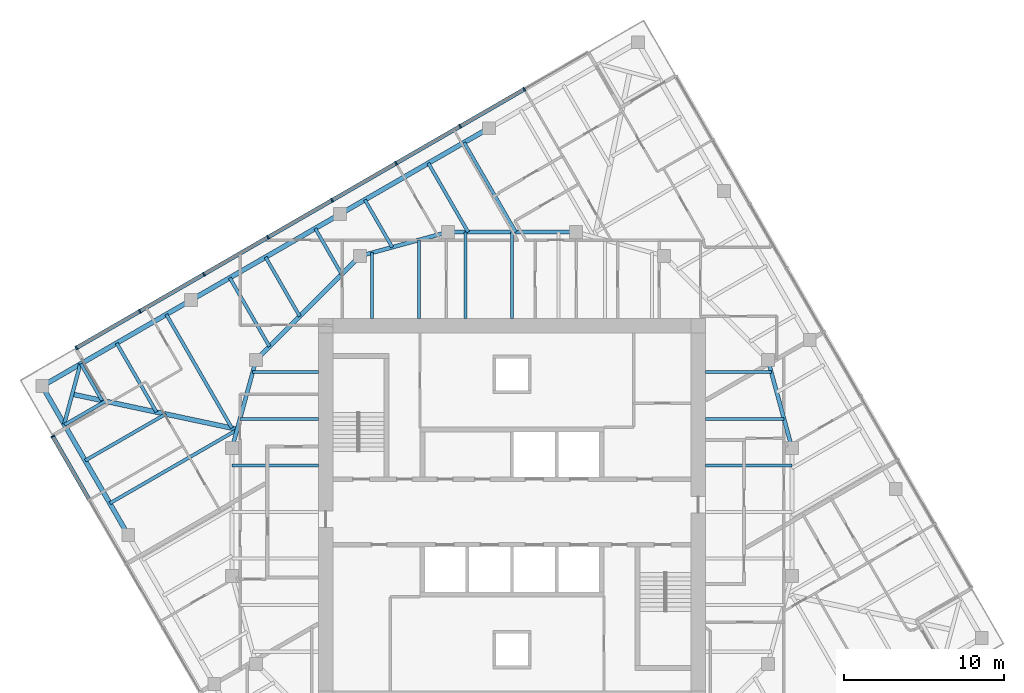
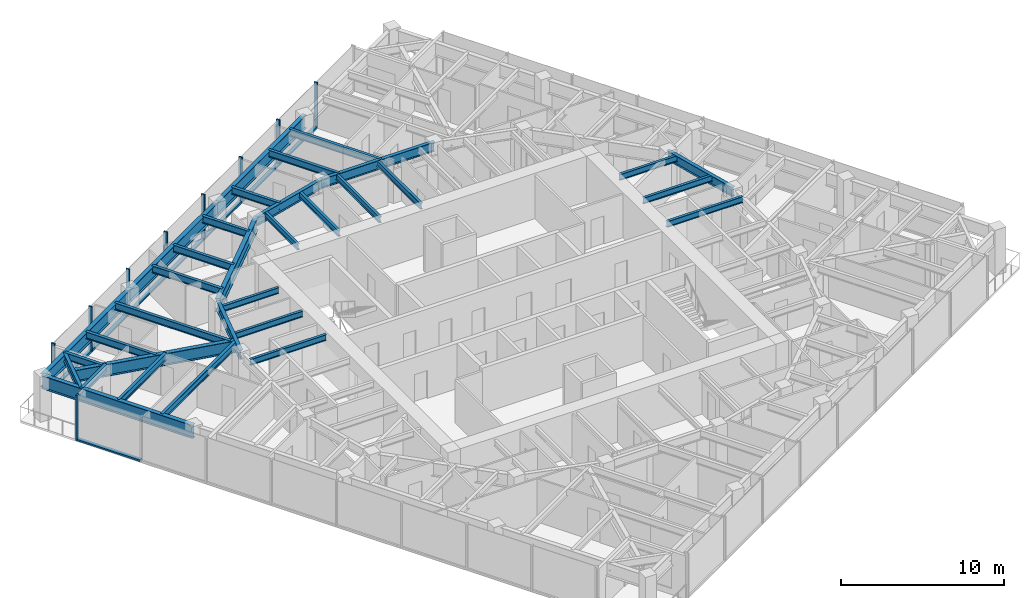
# One storey, part 4 of 13: 33 beams, 17 members, 2 elements without a shape of their own.
"""IFC4 building model written with IfcOpenShell, lengths in metres."""

from ifc_helpers import new_model, si_unit, direction, frame, origin, origin_2d, place, context, subcontext, project, spatial, rectangle, i_section, extrude, material, material_profile, profile_set, type_object, element, aggregate, save


model = new_model("IFC4")

# Units and contexts
model_context = context("Model", 3, precision=1e-05, world=origin(), true_north=direction((0.0, 1.0)))
body_context = subcontext(model_context, "Body", "Model", "MODEL_VIEW")
ifc_project = project(units=[si_unit("LENGTHUNIT", "METRE"), si_unit("AREAUNIT", "SQUARE_METRE"), si_unit("VOLUMEUNIT", "CUBIC_METRE"), si_unit("PLANEANGLEUNIT", "RADIAN"), si_unit("MASSUNIT", "GRAM", prefix="KILO")], contexts=[model_context])

# Site, building, storey
site_placement = place(None, origin())
site = spatial("IfcSite", under=ifc_project, at=site_placement, CompositionType="ELEMENT")
building_placement = place(site_placement, origin())
building = spatial("IfcBuilding", under=site, at=building_placement, Name="Torsade Residences", CompositionType="ELEMENT")
storey_placement = place(building_placement, frame((0.0, 0.0, 208.199951171875)))
storey = spatial("IfcBuildingStorey", under=building, at=storey_placement, Name="L57", CompositionType="ELEMENT", Elevation=208.199951171875)

# Beams
ifc_material_1 = material(Name="Steel grade 300", Category="steel")
ifc_material_profile_1 = material_profile(ifc_material_1, i_section(OverallWidth=0.300048828125, OverallDepth=0.89990234375, WebThickness=0.011962890625, FlangeThickness=0.02490234375, at=origin_2d()), Name="900WB175")
ifc_profile_set_1 = profile_set([ifc_material_profile_1], Name="Steel grade 300")
beam_type_1 = type_object("IfcBeamType", Name="CORNER GIRDER 900WB175", PredefinedType="BEAM", material=ifc_profile_set_1)
beam_1_placement = place(storey_placement, frame((12.5087890625, 37.3662109375, 2.800048828125), z_axis=(0.978115155685, -0.20806427425, 0.0), x_axis=(0.20806427425, 0.978115155685, 0.0)))
element("IfcBeam", 1, at=beam_1_placement, inside=storey, type_object=beam_type_1, Name="Corner girder 13 L58", PredefinedType="BEAM", context=body_context, shape_type="SweptSolid", body=[
    extrude(i_section(OverallWidth=0.300048828125, OverallDepth=0.89990234375, WebThickness=0.011962890625, FlangeThickness=0.02490234375, at=origin_2d()), origin(), (0.0, 0.0, 1.0), 10.541748046875),
])
ifc_material_2 = material(Name="Steel grade 300", Category="steel")
ifc_material_profile_2 = material_profile(ifc_material_2, i_section(OverallWidth=0.22802734375, OverallDepth=0.60205078125, WebThickness=0.010498046875, FlangeThickness=0.014892578125, FilletRadius=0.013916015625, at=origin_2d()), Name="610UB101")
ifc_profile_set_2 = profile_set([ifc_material_profile_2], Name="Steel grade 300")
beam_type_2 = type_object("IfcBeamType", Name="CORNER TRIMMER 610UB101", PredefinedType="BEAM", material=ifc_profile_set_2)
beam_2_placement = place(storey_placement, frame((12.00537109375, 35.488037109375, 2.948974609375), z_axis=(0.258822897619, 0.965924794002, 0.0), x_axis=(-0.965924794002, 0.258822897619, 0.0)))
element("IfcBeam", 2, at=beam_2_placement, inside=storey, type_object=beam_type_2, Name="Corner trimmer 13 L58", PredefinedType="BEAM", context=body_context, shape_type="SweptSolid", body=[
    extrude(i_section(OverallWidth=0.22802734375, OverallDepth=0.60205078125, WebThickness=0.010498046875, FlangeThickness=0.014892578125, FilletRadius=0.013916015625, at=origin_2d()), origin(), (0.0, 0.0, 1.0), 3.88916015625),
])
ifc_material_3 = material(Name="Steel grade 300", Category="steel")
ifc_material_profile_3 = material_profile(ifc_material_3, i_section(OverallWidth=0.300048828125, OverallDepth=1.0, WebThickness=0.01611328125, FlangeThickness=0.028076171875, at=origin_2d()), Name="1000WB215")
ifc_profile_set_3 = profile_set([ifc_material_profile_3], Name="Steel grade 300")
beam_type_3 = type_object("IfcBeamType", Name="EDGE BEAM 1000WB215", PredefinedType="SPANDREL", material=ifc_profile_set_3)
for number, where, z_axis, x_axis, name in (
    (3, (38.559814453125, 53.99462890625, 2.75), (-0.866026365697, -0.499998333915, 0.0), (0.499998333915, -0.866026365697, 0.0), "Edge beam 10 L58"),
    (4, (29.25, 48.61962890625, 2.75), (-0.866026365697, -0.499998333915, 0.0), (0.499998333915, -0.866026365697, 0.0), "Edge beam 11 L58"),
    (5, (19.940185546875, 43.24462890625, 2.75), (-0.866026365697, -0.499998333915, 0.0), (0.499998333915, -0.866026365697, 0.0), "Edge beam 12 L58"),
    (6, (10.63037109375, 37.86962890625, 2.75), (0.499998333915, -0.866026365697, 0.0), (0.866026365697, 0.499998333915, 0.0), "Edge beam 13 L58"),
):
    element("IfcBeam", number, at=place(storey_placement, frame(where, z_axis=z_axis, x_axis=x_axis)), inside=storey, type_object=beam_type_3, Name=name, PredefinedType="SPANDREL", context=body_context, shape_type="SweptSolid", body=[
        extrude(i_section(OverallWidth=0.300048828125, OverallDepth=1.0, WebThickness=0.01611328125, FlangeThickness=0.028076171875, at=origin_2d()), origin(), (0.0, 0.0, 1.0), 10.75),
    ])

# Curtain wall, members
ifc_material_4 = material(Name="Aluminium and glass", Category="aluminium")
curtain_wall_type = type_object("IfcCurtainWallType", Name="FRITTED GLASS CURTAIN WALL HIGH ZONE", PredefinedType="NOTDEFINED", material=ifc_material_4)
curtain_wall_1_placement = place(storey_placement, origin())
curtain_wall_1 = element("IfcCurtainWall", 7, at=curtain_wall_1_placement, inside=storey, type_object=curtain_wall_type, Name="Curtain wall L57 face 7", PredefinedType="NOTDEFINED")
ifc_material_5 = material(Name="Aluminium mullion", Category="aluminium")
ifc_material_profile_4 = material_profile(ifc_material_5, rectangle(XDim=0.25, YDim=0.10009765625, at=origin_2d()), Name="HIGH ZONE CURTAIN WALL MULLION 250x100")
ifc_profile_set_4 = profile_set([ifc_material_profile_4], Name="Aluminium mullion")
member_type_1 = type_object("IfcMemberType", Name="HIGH ZONE CURTAIN WALL MULLION 250x100", PredefinedType="MULLION", material=ifc_profile_set_4)
member_1_placement = place(storey_placement, frame((40.76611328125, 56.423095703125, 0.0), z_axis=(0.0, 0.0, 1.0), x_axis=(0.499999999305, -0.866025404186, 0.0)))
member_1 = element("IfcMember", 8, at=member_1_placement, type_object=member_type_1, Name="Mullion 2", PredefinedType="MULLION", context=body_context, shape_type="SweptSolid", body=[
    extrude(rectangle(XDim=0.25, YDim=0.10009765625, at=origin_2d()), origin(), (0.0, 0.0, 1.0), 3.400146484375),
])
member_2_placement = place(storey_placement, frame((36.7607421875, 54.110595703125, 0.0), z_axis=(0.0, 0.0, 1.0), x_axis=(0.499999999305, -0.866025404186, 0.0)))
member_2 = element("IfcMember", 9, at=member_2_placement, type_object=member_type_1, Name="Mullion 3", PredefinedType="MULLION", context=body_context, shape_type="SweptSolid", body=[
    extrude(rectangle(XDim=0.25, YDim=0.10009765625, at=origin_2d()), origin(), (0.0, 0.0, 1.0), 3.400146484375),
])
member_3_placement = place(storey_placement, frame((32.75537109375, 51.798095703125, 0.0), z_axis=(0.0, 0.0, 1.0), x_axis=(0.499999999305, -0.866025404186, 0.0)))
member_3 = element("IfcMember", 10, at=member_3_placement, type_object=member_type_1, Name="Mullion 4", PredefinedType="MULLION", context=body_context, shape_type="SweptSolid", body=[
    extrude(rectangle(XDim=0.25, YDim=0.10009765625, at=origin_2d()), origin(), (0.0, 0.0, 1.0), 3.400146484375),
])
member_4_placement = place(storey_placement, frame((28.75, 49.485595703125, 0.0), z_axis=(0.0, 0.0, 1.0), x_axis=(0.499999999305, -0.866025404186, 0.0)))
member_4 = element("IfcMember", 11, at=member_4_placement, type_object=member_type_1, Name="Mullion 5", PredefinedType="MULLION", context=body_context, shape_type="SweptSolid", body=[
    extrude(rectangle(XDim=0.25, YDim=0.10009765625, at=origin_2d()), origin(), (0.0, 0.0, 1.0), 3.400146484375),
])
member_5_placement = place(storey_placement, frame((24.74462890625, 47.173095703125, 0.0), z_axis=(0.0, 0.0, 1.0), x_axis=(0.499999999305, -0.866025404186, 0.0)))
member_5 = element("IfcMember", 12, at=member_5_placement, type_object=member_type_1, Name="Mullion 6", PredefinedType="MULLION", context=body_context, shape_type="SweptSolid", body=[
    extrude(rectangle(XDim=0.25, YDim=0.10009765625, at=origin_2d()), origin(), (0.0, 0.0, 1.0), 3.400146484375),
])
member_6_placement = place(storey_placement, frame((20.7392578125, 44.860595703125, 0.0), z_axis=(0.0, 0.0, 1.0), x_axis=(0.499999999305, -0.866025404186, 0.0)))
member_6 = element("IfcMember", 13, at=member_6_placement, type_object=member_type_1, Name="Mullion 7", PredefinedType="MULLION", context=body_context, shape_type="SweptSolid", body=[
    extrude(rectangle(XDim=0.25, YDim=0.10009765625, at=origin_2d()), origin(), (0.0, 0.0, 1.0), 3.400146484375),
])
member_7_placement = place(storey_placement, frame((16.73388671875, 42.548095703125, 0.0), z_axis=(0.0, 0.0, 1.0), x_axis=(0.499999999305, -0.866025404186, 0.0)))
member_7 = element("IfcMember", 14, at=member_7_placement, type_object=member_type_1, Name="Mullion 8", PredefinedType="MULLION", context=body_context, shape_type="SweptSolid", body=[
    extrude(rectangle(XDim=0.25, YDim=0.10009765625, at=origin_2d()), origin(), (0.0, 0.0, 1.0), 3.400146484375),
])
member_8_placement = place(storey_placement, frame((12.771728515625, 40.260498046875, 0.0), z_axis=(0.0, 0.0, 1.0), x_axis=(0.499999999305, -0.866025404186, 0.0)))
member_8 = element("IfcMember", 15, at=member_8_placement, type_object=member_type_1, Name="Mullion 9", PredefinedType="MULLION", context=body_context, shape_type="SweptSolid", body=[
    extrude(rectangle(XDim=0.25, YDim=0.10009765625, at=origin_2d()), origin(), (0.0, 0.0, 1.0), 3.400146484375),
])

# Curtain wall, member
curtain_wall_2_placement = place(storey_placement, origin())
curtain_wall_2 = element("IfcCurtainWall", 16, at=curtain_wall_2_placement, inside=storey, type_object=curtain_wall_type, Name="Curtain wall L57 face 10", PredefinedType="NOTDEFINED")
member_9_placement = place(storey_placement, frame((11.289306640625, 34.728271484375, 0.0), z_axis=(0.0, 0.0, 1.0), x_axis=(0.866025404186, 0.499999999305, 0.0)))
member_9 = element("IfcMember", 17, at=member_9_placement, type_object=member_type_1, Name="Mullion 1", PredefinedType="MULLION", context=body_context, shape_type="SweptSolid", body=[
    extrude(rectangle(XDim=0.25, YDim=0.10009765625, at=origin_2d()), origin(), (0.0, 0.0, 1.0), 3.400146484375),
])

# Member
ifc_material_6 = material(Name="Aluminium transom", Category="aluminium")
ifc_material_profile_5 = material_profile(ifc_material_6, rectangle(XDim=0.25, YDim=0.1201171875, at=origin_2d()), Name="HIGH ZONE CURTAIN WALL TRANSOM 250x120")
ifc_profile_set_5 = profile_set([ifc_material_profile_5], Name="Aluminium transom")
member_type_2 = type_object("IfcMemberType", Name="HIGH ZONE CURTAIN WALL TRANSOM 250x120", PredefinedType="USERDEFINED", material=ifc_profile_set_5)
member_10_placement = place(storey_placement, frame((40.722900390625, 56.398193359375, 0.06005859375), z_axis=(-0.866016678684, -0.500015112013, 0.0), x_axis=(0.500015112013, -0.866016678684, 0.0)))
member_10 = element("IfcMember", 18, at=member_10_placement, type_object=member_type_2, Name="Transom 2.1", ObjectType="TRANSOM", PredefinedType="USERDEFINED", context=body_context, shape_type="SweptSolid", body=[
    extrude(rectangle(XDim=0.25, YDim=0.1201171875, at=origin_2d()), origin(), (0.0, 0.0, 1.0), 4.525146484375),
])

member_11_placement = place(storey_placement, frame((36.717529296875, 54.085693359375, 0.06005859375), z_axis=(-0.866016678684, -0.500015112013, 0.0), x_axis=(0.500015112013, -0.866016678684, 0.0)))
member_11 = element("IfcMember", 19, at=member_11_placement, type_object=member_type_2, Name="Transom 3.1", ObjectType="TRANSOM", PredefinedType="USERDEFINED", context=body_context, shape_type="SweptSolid", body=[
    extrude(rectangle(XDim=0.25, YDim=0.1201171875, at=origin_2d()), origin(), (0.0, 0.0, 1.0), 4.525146484375),
])

member_12_placement = place(storey_placement, frame((32.712158203125, 51.773193359375, 0.06005859375), z_axis=(-0.866016678684, -0.500015112013, 0.0), x_axis=(0.500015112013, -0.866016678684, 0.0)))
member_12 = element("IfcMember", 20, at=member_12_placement, type_object=member_type_2, Name="Transom 4.1", ObjectType="TRANSOM", PredefinedType="USERDEFINED", context=body_context, shape_type="SweptSolid", body=[
    extrude(rectangle(XDim=0.25, YDim=0.1201171875, at=origin_2d()), origin(), (0.0, 0.0, 1.0), 4.525146484375),
])

member_13_placement = place(storey_placement, frame((28.706787109375, 49.460693359375, 0.06005859375), z_axis=(-0.866016678684, -0.500015112013, 0.0), x_axis=(0.500015112013, -0.866016678684, 0.0)))
member_13 = element("IfcMember", 21, at=member_13_placement, type_object=member_type_2, Name="Transom 5.1", ObjectType="TRANSOM", PredefinedType="USERDEFINED", context=body_context, shape_type="SweptSolid", body=[
    extrude(rectangle(XDim=0.25, YDim=0.1201171875, at=origin_2d()), origin(), (0.0, 0.0, 1.0), 4.525146484375),
])

member_14_placement = place(storey_placement, frame((24.701416015625, 47.148193359375, 0.06005859375), z_axis=(-0.866016678684, -0.500015112013, 0.0), x_axis=(0.500015112013, -0.866016678684, 0.0)))
member_14 = element("IfcMember", 22, at=member_14_placement, type_object=member_type_2, Name="Transom 6.1", ObjectType="TRANSOM", PredefinedType="USERDEFINED", context=body_context, shape_type="SweptSolid", body=[
    extrude(rectangle(XDim=0.25, YDim=0.1201171875, at=origin_2d()), origin(), (0.0, 0.0, 1.0), 4.525146484375),
])

member_15_placement = place(storey_placement, frame((20.696044921875, 44.835693359375, 0.06005859375), z_axis=(-0.866016678684, -0.500015112013, 0.0), x_axis=(0.500015112013, -0.866016678684, 0.0)))
member_15 = element("IfcMember", 23, at=member_15_placement, type_object=member_type_2, Name="Transom 7.1", ObjectType="TRANSOM", PredefinedType="USERDEFINED", context=body_context, shape_type="SweptSolid", body=[
    extrude(rectangle(XDim=0.25, YDim=0.1201171875, at=origin_2d()), origin(), (0.0, 0.0, 1.0), 4.525146484375),
])

member_16_placement = place(storey_placement, frame((16.690673828125, 42.523193359375, 0.06005859375), z_axis=(-0.866022053326, -0.50000580312, 0.0), x_axis=(0.50000580312, -0.866022053326, 0.0)))
member_16 = element("IfcMember", 24, at=member_16_placement, type_object=member_type_2, Name="Transom 8.1", ObjectType="TRANSOM", PredefinedType="USERDEFINED", context=body_context, shape_type="SweptSolid", body=[
    extrude(rectangle(XDim=0.25, YDim=0.1201171875, at=origin_2d()), origin(), (0.0, 0.0, 1.0), 4.47509765625),
])

aggregate(curtain_wall_1, [member_1, member_2, member_3, member_4, member_5, member_6, member_7, member_8, member_10, member_11, member_12, member_13, member_14, member_15, member_16])

member_17_placement = place(storey_placement, frame((11.314453125, 34.684814453125, 0.06005859375), z_axis=(0.50000580312, -0.866022053326, 0.0), x_axis=(0.866022053326, 0.50000580312, 0.0)))
member_17 = element("IfcMember", 25, at=member_17_placement, type_object=member_type_2, Name="Transom 1.1", ObjectType="TRANSOM", PredefinedType="USERDEFINED", context=body_context, shape_type="SweptSolid", body=[
    extrude(rectangle(XDim=0.25, YDim=0.1201171875, at=origin_2d()), origin(), (0.0, 0.0, 1.0), 4.47509765625),
])

aggregate(curtain_wall_2, [member_9, member_17])

# Beams
ifc_material_7 = material(Name="Steel grade 300", Category="steel")
ifc_material_profile_6 = material_profile(ifc_material_7, i_section(OverallWidth=0.18994140625, OverallDepth=0.4541015625, WebThickness=0.008544921875, FlangeThickness=0.0126953125, FilletRadius=0.011474609375, at=origin_2d()), Name="460UB67.1")
ifc_profile_set_6 = profile_set([ifc_material_profile_6], Name="Steel grade 300")
beam_type_4 = type_object("IfcBeamType", Name="INNER FLOOR BEAM 460UB67.1", PredefinedType="JOIST", material=ifc_profile_set_6)
beam_3_placement = place(storey_placement, frame((31.262451171875, 42.10009765625, 3.02294921875), z_axis=(0.0, 1.0, 0.0), x_axis=(-1.0, 0.0, 0.0)))
element("IfcBeam", 26, at=beam_3_placement, inside=storey, type_object=beam_type_4, Name="Inner floor beam IN01 L58", PredefinedType="JOIST", context=body_context, shape_type="SweptSolid", body=[
    extrude(i_section(OverallWidth=0.18994140625, OverallDepth=0.4541015625, WebThickness=0.008544921875, FlangeThickness=0.0126953125, FilletRadius=0.011474609375, at=origin_2d()), origin(), (0.0, 0.0, 1.0), 4.10791015625),
])
beam_4_placement = place(storey_placement, frame((34.175048828125, 42.10009765625, 3.02294921875), z_axis=(0.0, 1.0, 0.0), x_axis=(-1.0, 0.0, 0.0)))
element("IfcBeam", 27, at=beam_4_placement, inside=storey, type_object=beam_type_4, Name="Inner floor beam IN02 L58", PredefinedType="JOIST", context=body_context, shape_type="SweptSolid", body=[
    extrude(i_section(OverallWidth=0.18994140625, OverallDepth=0.4541015625, WebThickness=0.008544921875, FlangeThickness=0.0126953125, FilletRadius=0.011474609375, at=origin_2d()), origin(), (0.0, 0.0, 1.0), 4.902099609375),
])
for number, where, z_axis, x_axis, name in (
    (28, (37.08740234375, 42.10009765625, 3.02294921875), (0.0, 1.0, 0.0), (-1.0, 0.0, 0.0), "Inner floor beam IN03 L58"),
    (29, (40.0, 42.10009765625, 3.02294921875), (0.0, 1.0, 0.0), (-1.0, 0.0, 0.0), "Inner floor beam IN04 L58"),
    (30, (52.10009765625, 32.91259765625, 3.02294921875), (1.0, 0.0, 0.0), (0.0, 1.0, 0.0), "Inner floor beam IE05 L58"),
):
    element("IfcBeam", number, at=place(storey_placement, frame(where, z_axis=z_axis, x_axis=x_axis)), inside=storey, type_object=beam_type_4, Name=name, PredefinedType="JOIST", context=body_context, shape_type="SweptSolid", body=[
        extrude(i_section(OverallWidth=0.18994140625, OverallDepth=0.4541015625, WebThickness=0.008544921875, FlangeThickness=0.0126953125, FilletRadius=0.011474609375, at=origin_2d()), origin(), (0.0, 0.0, 1.0), 5.39990234375),
    ])
beam_5_placement = place(storey_placement, frame((52.10009765625, 35.824951171875, 3.02294921875), z_axis=(1.0, 0.0, 0.0), x_axis=(0.0, 1.0, 0.0)))
element("IfcBeam", 31, at=beam_5_placement, inside=storey, type_object=beam_type_4, Name="Inner floor beam IE06 L58", PredefinedType="JOIST", context=body_context, shape_type="SweptSolid", body=[
    extrude(i_section(OverallWidth=0.18994140625, OverallDepth=0.4541015625, WebThickness=0.008544921875, FlangeThickness=0.0126953125, FilletRadius=0.011474609375, at=origin_2d()), origin(), (0.0, 0.0, 1.0), 4.902099609375),
])
for number, where, z_axis, x_axis, name in (
    (32, (52.10009765625, 38.737548828125, 3.02294921875), (1.0, 0.0, 0.0), (0.0, 1.0, 0.0), "Inner floor beam IE07 L58"),
    (33, (27.89990234375, 38.737548828125, 3.02294921875), (-1.0, 0.0, 0.0), (0.0, -1.0, 0.0), "Inner floor beam IW01 L58"),
):
    element("IfcBeam", number, at=place(storey_placement, frame(where, z_axis=z_axis, x_axis=x_axis)), inside=storey, type_object=beam_type_4, Name=name, PredefinedType="JOIST", context=body_context, shape_type="SweptSolid", body=[
        extrude(i_section(OverallWidth=0.18994140625, OverallDepth=0.4541015625, WebThickness=0.008544921875, FlangeThickness=0.0126953125, FilletRadius=0.011474609375, at=origin_2d()), origin(), (0.0, 0.0, 1.0), 4.10791015625),
    ])
beam_6_placement = place(storey_placement, frame((27.89990234375, 35.824951171875, 3.02294921875), z_axis=(-1.0, 0.0, 0.0), x_axis=(0.0, -1.0, 0.0)))
element("IfcBeam", 34, at=beam_6_placement, inside=storey, type_object=beam_type_4, Name="Inner floor beam IW02 L58", PredefinedType="JOIST", context=body_context, shape_type="SweptSolid", body=[
    extrude(i_section(OverallWidth=0.18994140625, OverallDepth=0.4541015625, WebThickness=0.008544921875, FlangeThickness=0.0126953125, FilletRadius=0.011474609375, at=origin_2d()), origin(), (0.0, 0.0, 1.0), 4.902099609375),
])
beam_7_placement = place(storey_placement, frame((27.89990234375, 32.91259765625, 3.02294921875), z_axis=(-1.0, 0.0, 0.0), x_axis=(0.0, -1.0, 0.0)))
element("IfcBeam", 35, at=beam_7_placement, inside=storey, type_object=beam_type_4, Name="Inner floor beam IW03 L58", PredefinedType="JOIST", context=body_context, shape_type="SweptSolid", body=[
    extrude(i_section(OverallWidth=0.18994140625, OverallDepth=0.4541015625, WebThickness=0.008544921875, FlangeThickness=0.0126953125, FilletRadius=0.011474609375, at=origin_2d()), origin(), (0.0, 0.0, 1.0), 5.39990234375),
])
ifc_material_8 = material(Name="Steel grade 300", Category="steel")
ifc_material_profile_7 = material_profile(ifc_material_8, i_section(OverallWidth=0.300048828125, OverallDepth=1.0, WebThickness=0.01611328125, FlangeThickness=0.028076171875, at=origin_2d()), Name="1000WB215")
ifc_profile_set_7 = profile_set([ifc_material_profile_7], Name="Steel grade 300")
beam_type_5 = type_object("IfcBeamType", Name="RING CORNER GIRDER 1000WB215", PredefinedType="BEAM", material=ifc_profile_set_7)
beam_8_placement = place(storey_placement, frame((30.5, 46.0, 2.75), z_axis=(-0.707106781187, -0.707106781187, 0.0), x_axis=(0.707106781187, -0.707106781187, 0.0)))
element("IfcBeam", 36, at=beam_8_placement, inside=storey, type_object=beam_type_5, Name="Ring girder IR07 L58", PredefinedType="BEAM", context=body_context, shape_type="SweptSolid", body=[
    extrude(i_section(OverallWidth=0.300048828125, OverallDepth=1.0, WebThickness=0.01611328125, FlangeThickness=0.028076171875, at=origin_2d()), origin(), (0.0, 0.0, 1.0), 9.1923828125),
])
ifc_material_9 = material(Name="Steel grade 300", Category="steel")
ifc_material_profile_8 = material_profile(ifc_material_9, i_section(OverallWidth=0.25, OverallDepth=0.699951171875, WebThickness=0.010009765625, FlangeThickness=0.02001953125, at=origin_2d()), Name="700WB130")
ifc_profile_set_8 = profile_set([ifc_material_profile_8], Name="Steel grade 300")
beam_type_6 = type_object("IfcBeamType", Name="RING GIRDER 700WB130", PredefinedType="BEAM", material=ifc_profile_set_8)
beam_9_placement = place(storey_placement, frame((57.5, 34.0, 2.900146484375), z_axis=(-0.263117405792, 0.964763821238, 0.0), x_axis=(-0.964763821238, -0.263117405792, 0.0)))
element("IfcBeam", 37, at=beam_9_placement, inside=storey, type_object=beam_type_6, Name="Ring girder IR02 L58", PredefinedType="BEAM", context=body_context, shape_type="SweptSolid", body=[
    extrude(i_section(OverallWidth=0.25, OverallDepth=0.699951171875, WebThickness=0.010009765625, FlangeThickness=0.02001953125, at=origin_2d()), origin(), (0.0, 0.0, 1.0), 5.700927734375),
])
beam_10_placement = place(storey_placement, frame((44.0, 47.5, 2.900146484375), z_axis=(-1.0, 0.0, 0.0), x_axis=(0.0, -1.0, 0.0)))
element("IfcBeam", 38, at=beam_10_placement, inside=storey, type_object=beam_type_6, Name="Ring girder IR05 L58", PredefinedType="BEAM", context=body_context, shape_type="SweptSolid", body=[
    extrude(i_section(OverallWidth=0.25, OverallDepth=0.699951171875, WebThickness=0.010009765625, FlangeThickness=0.02001953125, at=origin_2d()), origin(), (0.0, 0.0, 1.0), 8.0),
])
for number, where, z_axis, x_axis, name in (
    (39, (36.0, 47.5, 2.900146484375), (-0.964763821238, -0.263117405792, 0.0), (0.263117405792, -0.964763821238, 0.0), "Ring girder IR06 L58"),
    (40, (24.0, 39.5, 2.900146484375), (-0.263117405792, -0.964763821238, 0.0), (0.964763821238, -0.263117405792, 0.0), "Ring girder IR08 L58"),
):
    element("IfcBeam", number, at=place(storey_placement, frame(where, z_axis=z_axis, x_axis=x_axis)), inside=storey, type_object=beam_type_6, Name=name, PredefinedType="BEAM", context=body_context, shape_type="SweptSolid", body=[
        extrude(i_section(OverallWidth=0.25, OverallDepth=0.699951171875, WebThickness=0.010009765625, FlangeThickness=0.02001953125, at=origin_2d()), origin(), (0.0, 0.0, 1.0), 5.700927734375),
    ])
ifc_material_10 = material(Name="Steel grade 300", Category="steel")
ifc_material_profile_9 = material_profile(ifc_material_10, i_section(OverallWidth=0.208984375, OverallDepth=0.528076171875, WebThickness=0.009521484375, FlangeThickness=0.01318359375, FilletRadius=0.013916015625, at=origin_2d()), Name="530UB82.0")
ifc_profile_set_9 = profile_set([ifc_material_profile_9], Name="Steel grade 300")
beam_type_7 = type_object("IfcBeamType", Name="SECONDARY BEAM 530UB82.0", PredefinedType="JOIST", material=ifc_profile_set_9)
beam_11_placement = place(storey_placement, frame((37.008056640625, 53.0986328125, 2.986083984375), z_axis=(0.500005767435, -0.866022073929, 0.0), x_axis=(0.866022073929, 0.500005767435, 0.0)))
element("IfcBeam", 41, at=beam_11_placement, inside=storey, type_object=beam_type_7, Name="Floor beam FN04 L58", PredefinedType="JOIST", context=body_context, shape_type="SweptSolid", body=[
    extrude(i_section(OverallWidth=0.208984375, OverallDepth=0.528076171875, WebThickness=0.009521484375, FlangeThickness=0.01318359375, FilletRadius=0.013916015625, at=origin_2d()), origin(), (0.0, 0.0, 1.0), 6.46484375),
])
beam_12_placement = place(storey_placement, frame((34.77099609375, 51.80712890625, 2.986083984375), z_axis=(0.499977414361, -0.866038443216, 0.0), x_axis=(0.866038443216, 0.499977414361, 0.0)))
element("IfcBeam", 42, at=beam_12_placement, inside=storey, type_object=beam_type_7, Name="Floor beam FN05 L58", PredefinedType="JOIST", context=body_context, shape_type="SweptSolid", body=[
    extrude(i_section(OverallWidth=0.208984375, OverallDepth=0.528076171875, WebThickness=0.009521484375, FlangeThickness=0.01318359375, FilletRadius=0.013916015625, at=origin_2d()), origin(), (0.0, 0.0, 1.0), 4.973388671875),
])
beam_13_placement = place(storey_placement, frame((30.801513671875, 49.515380859375, 2.986083984375), z_axis=(0.500041249073, -0.866001587311, 0.0), x_axis=(0.866001587311, 0.500041249073, 0.0)))
element("IfcBeam", 43, at=beam_13_placement, inside=storey, type_object=beam_type_7, Name="Floor beam FN06 L58", PredefinedType="JOIST", context=body_context, shape_type="SweptSolid", body=[
    extrude(i_section(OverallWidth=0.208984375, OverallDepth=0.528076171875, WebThickness=0.009521484375, FlangeThickness=0.01318359375, FilletRadius=0.013916015625, at=origin_2d()), origin(), (0.0, 0.0, 1.0), 3.425048828125),
])
beam_14_placement = place(storey_placement, frame((27.698486328125, 47.7236328125, 2.986083984375), z_axis=(0.499975512502, -0.866039541186, 0.0), x_axis=(0.866039541186, 0.499975512502, 0.0)))
element("IfcBeam", 44, at=beam_14_placement, inside=storey, type_object=beam_type_7, Name="Floor beam FN07 L58", PredefinedType="JOIST", context=body_context, shape_type="SweptSolid", body=[
    extrude(i_section(OverallWidth=0.208984375, OverallDepth=0.528076171875, WebThickness=0.009521484375, FlangeThickness=0.01318359375, FilletRadius=0.013916015625, at=origin_2d()), origin(), (0.0, 0.0, 1.0), 3.312744140625),
])
beam_15_placement = place(storey_placement, frame((24.59521484375, 45.93212890625, 2.986083984375), z_axis=(0.500004369671, -0.866022880939, 0.0), x_axis=(0.866022880939, 0.500004369671, 0.0)))
element("IfcBeam", 45, at=beam_15_placement, inside=storey, type_object=beam_type_7, Name="Floor beam FN08 L58", PredefinedType="JOIST", context=body_context, shape_type="SweptSolid", body=[
    extrude(i_section(OverallWidth=0.208984375, OverallDepth=0.528076171875, WebThickness=0.009521484375, FlangeThickness=0.01318359375, FilletRadius=0.013916015625, at=origin_2d()), origin(), (0.0, 0.0, 1.0), 4.27294921875),
])
beam_16_placement = place(storey_placement, frame((22.35791015625, 44.640380859375, 2.986083984375), z_axis=(0.49996790502, -0.866043933037, 0.0), x_axis=(0.866043933037, 0.49996790502, 0.0)))
element("IfcBeam", 46, at=beam_16_placement, inside=storey, type_object=beam_type_7, Name="Floor beam FN09 L58", PredefinedType="JOIST", context=body_context, shape_type="SweptSolid", body=[
    extrude(i_section(OverallWidth=0.208984375, OverallDepth=0.528076171875, WebThickness=0.009521484375, FlangeThickness=0.01318359375, FilletRadius=0.013916015625, at=origin_2d()), origin(), (0.0, 0.0, 1.0), 4.965087890625),
])
beam_17_placement = place(storey_placement, frame((18.388671875, 42.3486328125, 2.986083984375), z_axis=(0.499992034702, -0.866030002502, 0.0), x_axis=(0.866030002502, 0.499992034702, 0.0)))
element("IfcBeam", 47, at=beam_17_placement, inside=storey, type_object=beam_type_7, Name="Floor beam FN10 L58", PredefinedType="JOIST", context=body_context, shape_type="SweptSolid", body=[
    extrude(i_section(OverallWidth=0.208984375, OverallDepth=0.528076171875, WebThickness=0.009521484375, FlangeThickness=0.01318359375, FilletRadius=0.013916015625, at=origin_2d()), origin(), (0.0, 0.0, 1.0), 8.205322265625),
])
beam_18_placement = place(storey_placement, frame((15.285400390625, 40.55712890625, 2.986083984375), z_axis=(0.499968694491, -0.866043477274, 0.0), x_axis=(0.866043477274, 0.499968694491, 0.0)))
element("IfcBeam", 48, at=beam_18_placement, inside=storey, type_object=beam_type_7, Name="Floor beam FN11 L58", PredefinedType="JOIST", context=body_context, shape_type="SweptSolid", body=[
    extrude(i_section(OverallWidth=0.208984375, OverallDepth=0.528076171875, WebThickness=0.009521484375, FlangeThickness=0.01318359375, FilletRadius=0.013916015625, at=origin_2d()), origin(), (0.0, 0.0, 1.0), 4.977783203125),
])
beam_19_placement = place(storey_placement, frame((13.048095703125, 39.265380859375, 2.986083984375), z_axis=(0.499972238474, -0.866041431316, 0.0), x_axis=(0.866041431316, 0.499972238474, 0.0)))
element("IfcBeam", 49, at=beam_19_placement, inside=storey, type_object=beam_type_7, Name="Floor beam FN12 L58", PredefinedType="JOIST", context=body_context, shape_type="SweptSolid", body=[
    extrude(i_section(OverallWidth=0.208984375, OverallDepth=0.528076171875, WebThickness=0.009521484375, FlangeThickness=0.01318359375, FilletRadius=0.013916015625, at=origin_2d()), origin(), (0.0, 0.0, 1.0), 2.651123046875),
])
beam_20_placement = place(storey_placement, frame((12.0263671875, 35.451904296875, 2.986083984375), z_axis=(0.866017313224, 0.500014013, 0.0), x_axis=(-0.500014013, 0.866017313224, 0.0)))
element("IfcBeam", 50, at=beam_20_placement, inside=storey, type_object=beam_type_7, Name="Floor beam FW01 L58", PredefinedType="JOIST", context=body_context, shape_type="SweptSolid", body=[
    extrude(i_section(OverallWidth=0.208984375, OverallDepth=0.528076171875, WebThickness=0.009521484375, FlangeThickness=0.01318359375, FilletRadius=0.013916015625, at=origin_2d()), origin(), (0.0, 0.0, 1.0), 2.94775390625),
])
beam_21_placement = place(storey_placement, frame((13.31787109375, 33.214599609375, 2.986083984375), z_axis=(0.866031100357, 0.499990133118, 0.0), x_axis=(-0.499990133118, 0.866031100357, 0.0)))
element("IfcBeam", 51, at=beam_21_placement, inside=storey, type_object=beam_type_7, Name="Floor beam FW02 L58", PredefinedType="JOIST", context=body_context, shape_type="SweptSolid", body=[
    extrude(i_section(OverallWidth=0.208984375, OverallDepth=0.528076171875, WebThickness=0.009521484375, FlangeThickness=0.01318359375, FilletRadius=0.013916015625, at=origin_2d()), origin(), (0.0, 0.0, 1.0), 5.81591796875),
])
beam_22_placement = place(storey_placement, frame((14.859619140625, 30.54443359375, 2.986083984375), z_axis=(0.866021712342, 0.500006393711, 0.0), x_axis=(-0.500006393711, 0.866021712342, 0.0)))
element("IfcBeam", 52, at=beam_22_placement, inside=storey, type_object=beam_type_7, Name="Floor beam FW03 L58", PredefinedType="JOIST", context=body_context, shape_type="SweptSolid", body=[
    extrude(i_section(OverallWidth=0.208984375, OverallDepth=0.528076171875, WebThickness=0.009521484375, FlangeThickness=0.01318359375, FilletRadius=0.013916015625, at=origin_2d()), origin(), (0.0, 0.0, 1.0), 9.1796875),
])

save(model, "model.ifc")
